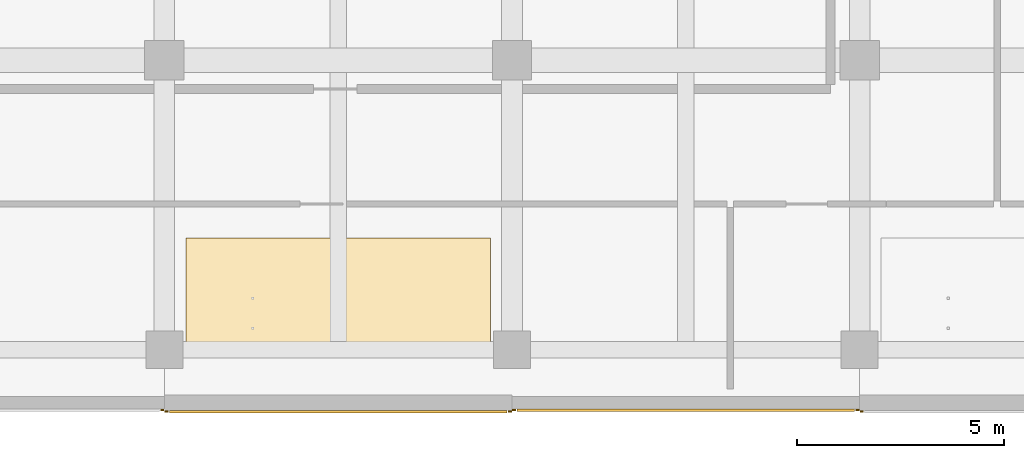
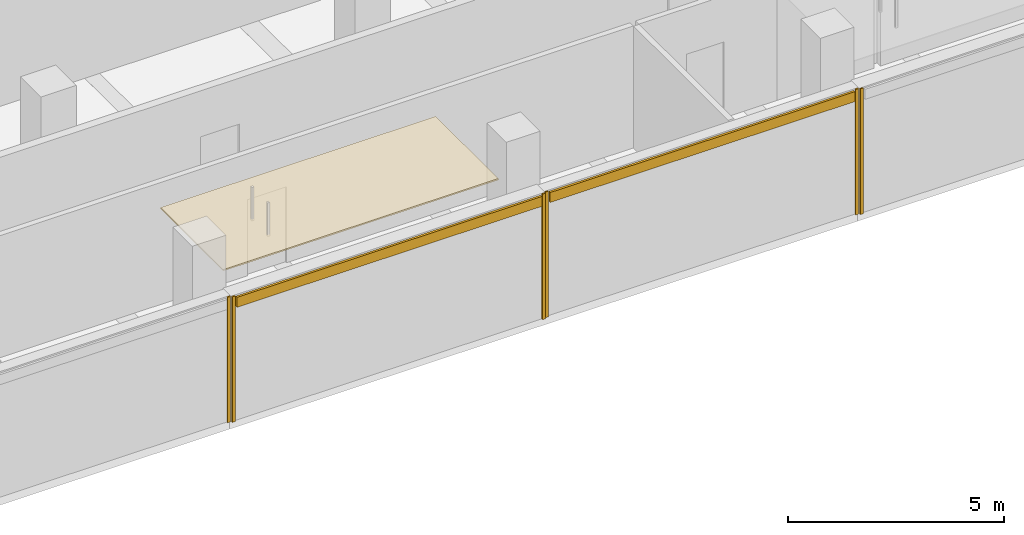
# One storey, part 50 of 59: 9 coverings.
"""IFC4 building model written with IfcOpenShell, lengths in metres."""

from ifc_helpers import new_model, si_unit, direction, frame, origin, origin_2d, place, context, subcontext, project, spatial, polyline, rectangle, outline, extrude, material, layer, layer_set, type_object, element, save


model = new_model("IFC4")

# Units and contexts
model_context = context("Model", 3, precision=1e-05, world=origin(), true_north=direction((0.0, 1.0)))
body_context = subcontext(model_context, "Body", "Model", "MODEL_VIEW")
ifc_project = project(units=[si_unit("LENGTHUNIT", "METRE"), si_unit("AREAUNIT", "SQUARE_METRE"), si_unit("VOLUMEUNIT", "CUBIC_METRE"), si_unit("PLANEANGLEUNIT", "RADIAN"), si_unit("MASSUNIT", "GRAM", prefix="KILO")], contexts=[model_context])

# Site, building, storey
site_placement = place(None, origin())
site = spatial("IfcSite", under=ifc_project, at=site_placement, CompositionType="ELEMENT")
building_placement = place(site_placement, origin())
building = spatial("IfcBuilding", under=site, at=building_placement, Name="Telukmera Botanical Conservatory", CompositionType="ELEMENT")
storey_placement = place(building_placement, frame((0.0, 0.0, 15.0)))
storey = spatial("IfcBuildingStorey", under=building, at=storey_placement, Name="L03", CompositionType="ELEMENT", Elevation=15.0)

# Coverings
ifc_material_1 = material(Name="Perforated gypsum acoustic ceiling")
ifc_layer_1 = layer(ifc_material_1, 0.0400390625)
ifc_layer_set_1 = layer_set([ifc_layer_1], Name="Perforated gypsum acoustic ceiling")
covering_type_1 = type_object("IfcCoveringType", Name="COV-CEIL-40", PredefinedType="CEILING", material=ifc_layer_set_1)
covering_placement = place(storey_placement, frame((0.0, 0.0, 3.31005859375)))
element("IfcCovering", 1, at=covering_placement, inside=storey, type_object=covering_type_1, Name="L03 Herbarium Digitization Studio Suspended Acoustic Ceiling", PredefinedType="CEILING", context=body_context, shape_type="SweptSolid", body=[
    extrude(outline(polyline([(76.1201171875, 10.39990234375), (83.47998046875, 10.39990234375), (83.47998046875, 13.300048828125), (76.1201171875, 13.300048828125), (76.1201171875, 10.39990234375)])), origin(), (0.0, 0.0, 1.0), 0.0400390625),
])
ifc_material_2 = material(Name="Granite-faced precast concrete C40/50", Category="masonry")
ifc_layer_2 = layer(ifc_material_2, 0.0400390625)
ifc_layer_set_2 = layer_set([ifc_layer_2], Name="Granite-faced precast concrete C40/50")
covering_type_2 = type_object("IfcCoveringType", Name="Granite Precast Column Pier Reveal Casing", PredefinedType="CLADDING", material=ifc_layer_set_2)
for number, where, z_axis, x_axis, name in (
    (2, (75.548095703125, 9.14990234375, 0.0), (0.0, 0.0, 1.0), (1.0, 0.0, 0.0), "Granite Pier Reveal V4:L03:S3 R"),
    (3, (75.652099609375, 9.110107421875, 0.0), (0.0, 0.0, 1.0), (1.0, 0.0, 0.0), "Granite Pier Reveal V4:L03:S4 L"),
    (4, (83.947998046875, 9.110107421875, 0.0), (0.0, 0.0, 1.0), (1.0, 0.0, 0.0), "Granite Pier Reveal V4:L03:S4 R"),
    (5, (84.052001953125, 9.14990234375, 0.0), (0.0, 0.0, 1.0), (1.0, 0.0, 0.0), "Granite Pier Reveal V4:L03:S5 L"),
    (6, (92.347900390625, 9.14990234375, 0.0), (0.0, 0.0, 1.0), (1.0, 0.0, 0.0), "Granite Pier Reveal V4:L03:S5 R"),
    (7, (92.451904296875, 9.110107421875, 0.0), (0.0, 0.0, 1.0), (1.0, 0.0, 0.0), "Granite Pier Reveal V4:L03:S6 L"),
):
    element("IfcCovering", number, at=place(storey_placement, frame(where, z_axis=z_axis, x_axis=x_axis)), inside=storey, type_object=covering_type_2, Name=name, PredefinedType="CLADDING", context=body_context, shape_type="SweptSolid", body=[
        extrude(rectangle(XDim=0.080078125, YDim=0.0400390625, at=origin_2d()), origin(), (0.0, 0.0, 1.0), 3.550048828125),
    ])
ifc_material_3 = material(Name="Terracotta-faced precast concrete C40/50", Category="masonry")
ifc_layer_3 = layer(ifc_material_3, 0.06005859375)
ifc_layer_set_3 = layer_set([ifc_layer_3], Name="Terracotta-faced precast concrete C40/50")
covering_type_3 = type_object("IfcCoveringType", Name="Polychrome Terracotta Facade Band Cladding", PredefinedType="CLADDING", material=ifc_layer_set_3)
for number, where, z_axis, x_axis, name in (
    (8, (79.800048828125, 9.10009765625, 3.22998046875), (0.0, 0.0, 1.0), (1.0, 0.0, 0.0), "Polychrome Terracotta Band V4:L03:S4"),
    (9, (88.199951171875, 9.139892578125, 3.22998046875), (0.0, 0.0, 1.0), (1.0, 0.0, 0.0), "Polychrome Terracotta Band V4:L03:S5"),
):
    element("IfcCovering", number, at=place(storey_placement, frame(where, z_axis=z_axis, x_axis=x_axis)), inside=storey, type_object=covering_type_3, Name=name, PredefinedType="CLADDING", context=body_context, shape_type="SweptSolid", body=[
        extrude(rectangle(XDim=8.156005859375, YDim=0.06005859375, at=origin_2d()), origin(), (0.0, 0.0, 1.0), 0.280029296875),
    ])

save(model, "model.ifc")
